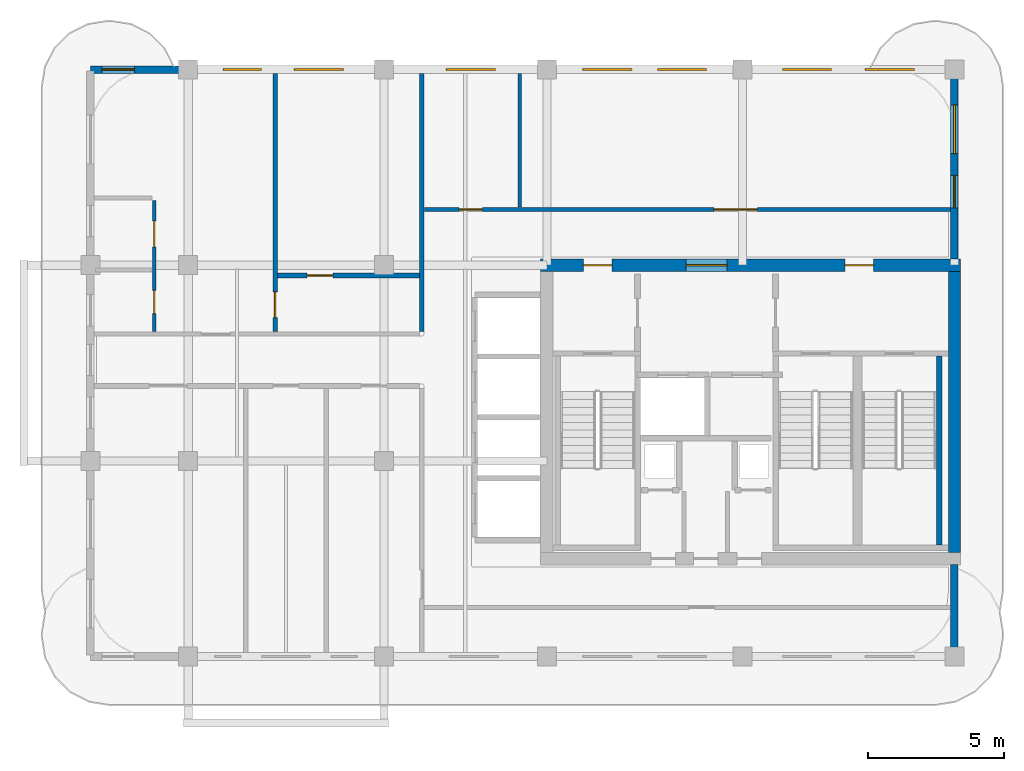
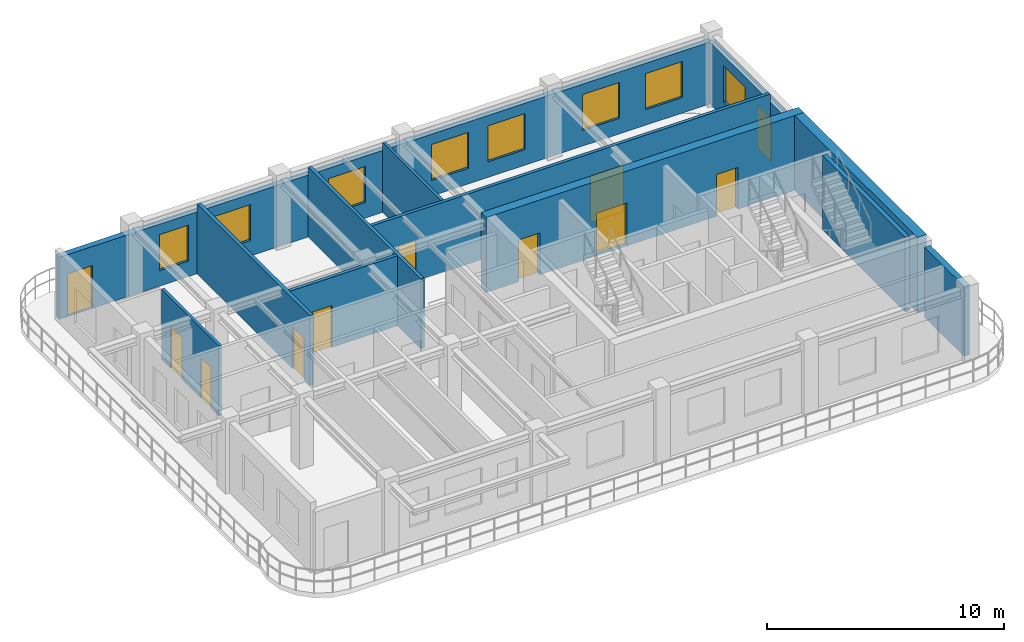
# One storey, part 4 of 7: 12 walls, 11 doors, 8 windows, 19 openings.
"""IFC4 building model written with IfcOpenShell, lengths in metres."""

from ifc_helpers import new_model, si_unit, derived_unit, direction, frame, frame_2d, origin, place, context, subcontext, project, spatial, rectangle, extrude, source, transform, mapped, material, layer, layer_set, type_object, type_shapes, element, fill, save


model = new_model("IFC4")

# Units and contexts
model_context = context("Model", 3, precision=1e-05, world=origin(), true_north=direction((0.0, 1.0)))
body_context = subcontext(model_context, "Body", "Model", "MODEL_VIEW")
ifc_project = project(units=[si_unit("LENGTHUNIT", "METRE"), si_unit("AREAUNIT", "SQUARE_METRE"), si_unit("VOLUMEUNIT", "CUBIC_METRE"), si_unit("PLANEANGLEUNIT", "RADIAN"), si_unit("MASSUNIT", "GRAM", prefix="KILO"), si_unit("THERMODYNAMICTEMPERATUREUNIT", "KELVIN"), si_unit("POWERUNIT", "WATT"), derived_unit("THERMALTRANSMITTANCEUNIT", [(si_unit("POWERUNIT", "WATT"), 1), (si_unit("AREAUNIT", "SQUARE_METRE"), -1), (si_unit("THERMODYNAMICTEMPERATUREUNIT", "KELVIN"), -1)])], contexts=[model_context])

# Site, building, storey
site_placement = place(None, origin())
site = spatial("IfcSite", under=ifc_project, at=site_placement, CompositionType="ELEMENT")
building_placement = place(site_placement, origin())
building = spatial("IfcBuilding", under=site, at=building_placement, Name="Zahravan Archway Hotel and Residences", CompositionType="ELEMENT")
storey_placement = place(building_placement, frame((0.0, 0.0, 282.75)))
storey = spatial("IfcBuildingStorey", under=building, at=storey_placement, Name="L71", CompositionType="ELEMENT", Elevation=282.75)

# Wall, openings, doors
ifc_material_1 = material(Name="Concrete C50/60", Category="concrete")
ifc_layer_1 = layer(ifc_material_1, 0.449951171875, Name="Concrete C50/60", Category="concrete")
ifc_layer_set_1 = layer_set([ifc_layer_1], Name="Concrete C50/60")
wall_type_1 = type_object("IfcWallType", Name="CW-CORE-450", PredefinedType="SHEAR", material=ifc_layer_set_1)
wall_1_placement = place(storey_placement, frame((34.574951171875, 14.39990234375, 0.0), z_axis=(0.0, 0.0, 1.0), x_axis=(1.0, 0.0, 0.0)))
wall_1 = element("IfcWall", 1, at=wall_1_placement, inside=storey, type_object=wall_type_1, Name="L71 Core A Shear N Wall 450 mm", PredefinedType="SHEAR", context=body_context, shape_type="SweptSolid", body=[
    extrude(rectangle(XDim=15.449951171875, YDim=0.449951171875, at=frame_2d((7.72509765625, 0.0))), origin(), (0.0, 0.0, 1.0), 3.85009765625),
])
opening_1_placement = place(wall_1_placement, frame((5.35498046875, 0.0, 0.0)))
opening_1 = element("IfcOpeningElement", 2, at=opening_1_placement, cuts=wall_1, Name="Opening FD-L1", PredefinedType="OPENING", context=body_context, shape_type="SweptSolid", body=[
    extrude(rectangle(XDim=1.5, YDim=2.199951171875, at=frame_2d((0.75, 1.10009765625))), frame((0.0, 0.23486328125, 0.0), z_axis=(0.0, -1.0, 0.0), x_axis=(1.0, 0.0, 0.0)), (0.0, 0.0, 1.0), 0.469970703125),
])
opening_2_placement = place(wall_1_placement, frame((1.570068359375, 0.0, 0.0)))
opening_2 = element("IfcOpeningElement", 3, at=opening_2_placement, cuts=wall_1, Name="Opening FD-L2", PredefinedType="OPENING", context=body_context, shape_type="SweptSolid", body=[
    extrude(rectangle(XDim=1.050048828125, YDim=2.14990234375, at=frame_2d((0.52490234375, 1.074951171875))), frame((0.0, 0.23486328125, 0.0), z_axis=(0.0, -1.0, 0.0), x_axis=(1.0, 0.0, 0.0)), (0.0, 0.0, 1.0), 0.469970703125),
])
opening_3_placement = place(wall_1_placement, frame((11.199951171875, 0.0, 0.0)))
opening_3 = element("IfcOpeningElement", 4, at=opening_3_placement, cuts=wall_1, Name="Opening FD-L2", PredefinedType="OPENING", context=body_context, shape_type="SweptSolid", body=[
    extrude(rectangle(XDim=1.050048828125, YDim=2.14990234375, at=frame_2d((0.52490234375, 1.074951171875))), frame((0.0, 0.23486328125, 0.0), z_axis=(0.0, -1.0, 0.0), x_axis=(1.0, 0.0, 0.0)), (0.0, 0.0, 1.0), 0.469970703125),
])
ifc_material_2 = material(Name="Fire-Rated Painted Steel", Category="steel")
door_type_1 = type_object("IfcDoorType", Name="FD-LOBBY-1100", OperationType="NOTDEFINED", PredefinedType="DOOR", material=ifc_material_2)
shared_shape_1 = source(origin(), body_context, "Body", "SweptSolid", [
    extrude(rectangle(XDim=1.050048828125, YDim=2.14990234375, at=frame_2d((0.52490234375, 1.074951171875))), frame((0.0, 0.02490234375, 0.0), z_axis=(0.0, -1.0, 0.0), x_axis=(1.0, 0.0, 0.0)), (0.0, 0.0, 1.0), 0.050048828125),
])
type_shapes(door_type_1, [shared_shape_1])
door_1_placement = place(opening_2_placement, origin())
door_1 = element("IfcDoor", 5, at=door_1_placement, inside=storey, type_object=door_type_1, Name="L71 Core A West Stair Lobby Door", OperationType="SINGLE_SWING_LEFT", OverallHeight=2.14990234375, OverallWidth=1.050048828125, PredefinedType="DOOR", context=body_context, shape_type="MappedRepresentation", body=[
    mapped(shared_shape_1, transform((0.0, 0.0, 0.0), scale=1.0)),
])
fill(opening_2, door_1)
door_2_placement = place(opening_3_placement, origin())
door_2 = element("IfcDoor", 6, at=door_2_placement, inside=storey, type_object=door_type_1, Name="L71 Core A East Stair Lobby Door", OperationType="SINGLE_SWING_RIGHT", OverallHeight=2.14990234375, OverallWidth=1.050048828125, PredefinedType="DOOR", context=body_context, shape_type="MappedRepresentation", body=[
    mapped(shared_shape_1, transform((0.0, 0.0, 0.0), scale=1.0)),
])
fill(opening_3, door_2)
door_type_2 = type_object("IfcDoorType", Name="FD-LOBBY-1500", OperationType="DOUBLE_DOOR_SINGLE_SWING", PredefinedType="DOOR", material=ifc_material_2)
shared_shape_2 = source(origin(), body_context, "Body", "SweptSolid", [
    extrude(rectangle(XDim=1.5, YDim=2.199951171875, at=frame_2d((0.75, 1.10009765625))), frame((0.0, 0.02490234375, 0.0), z_axis=(0.0, -1.0, 0.0), x_axis=(1.0, 0.0, 0.0)), (0.0, 0.0, 1.0), 0.050048828125),
])
type_shapes(door_type_2, [shared_shape_2])
door_3_placement = place(opening_1_placement, origin())
door_3 = element("IfcDoor", 7, at=door_3_placement, inside=storey, type_object=door_type_2, Name="L71 Core A FSAE Lobby Main Door", OperationType="DOUBLE_DOOR_SINGLE_SWING", OverallHeight=2.199951171875, OverallWidth=1.5, PredefinedType="DOOR", context=body_context, shape_type="MappedRepresentation", body=[
    mapped(shared_shape_2, transform((0.0, 0.0, 0.0), scale=1.0)),
])
fill(opening_1, door_3)

# Walls
wall_2_placement = place(storey_placement, frame((49.800048828125, 3.824951171875, 0.0), z_axis=(0.0, 0.0, 1.0), x_axis=(0.0, 1.0, 0.0)))
element("IfcWall", 8, at=wall_2_placement, inside=storey, type_object=wall_type_1, Name="L71 Core A Shear E Wall 450 mm", PredefinedType="SHEAR", context=body_context, shape_type="SweptSolid", body=[
    extrude(rectangle(XDim=10.35009765625, YDim=0.449951171875, at=frame_2d((5.175048828125, 0.0))), origin(), (0.0, 0.0, 1.0), 3.85009765625),
])
ifc_material_3 = material(Name="Honed Red-Ochre Sandstone & Insulated Block", Category="masonry")
ifc_layer_2 = layer(ifc_material_3, 0.280029296875, Name="Honed Red-Ochre Sandstone & Insulated Block", Category="masonry")
ifc_layer_set_2 = layer_set([ifc_layer_2], Name="Honed Red-Ochre Sandstone & Insulated Block")
wall_type_2 = type_object("IfcWallType", Name="EW-LOG-280", PredefinedType="SOLIDWALL", material=ifc_layer_set_2)
wall_3_placement = place(storey_placement, frame((49.800048828125, 0.050048828125, 0.0), z_axis=(0.0, 0.0, 1.0), x_axis=(0.0, 1.0, 0.0)))
element("IfcWall", 9, at=wall_3_placement, inside=storey, type_object=wall_type_2, Name="L71 Exterior Sandstone Wall WA-ES", PredefinedType="SOLIDWALL", context=body_context, shape_type="SweptSolid", body=[
    extrude(rectangle(XDim=3.329833984375, YDim=0.280029296875, at=frame_2d((1.6650390625, 0.0))), origin(), (0.0, 0.0, 1.0), 3.60009765625),
])

# Wall, openings, door, window
wall_4_placement = place(storey_placement, frame((49.800048828125, 14.6201171875, 0.0), z_axis=(0.0, 0.0, 1.0), x_axis=(0.0, 1.0, 0.0)))
wall_4 = element("IfcWall", 10, at=wall_4_placement, inside=storey, type_object=wall_type_2, Name="L71 Exterior Sandstone Wall WA-EN", PredefinedType="SOLIDWALL", context=body_context, shape_type="SweptSolid", body=[
    extrude(rectangle(XDim=6.929931640625, YDim=0.280029296875, at=frame_2d((3.46484375, 0.0))), origin(), (0.0, 0.0, 1.0), 3.18505859375),
])
opening_4_placement = place(wall_4_placement, frame((1.888916015625, 0.0, 0.0)))
opening_4 = element("IfcOpeningElement", 11, at=opening_4_placement, cuts=wall_4, Name="Opening ED-BL1", PredefinedType="OPENING", context=body_context, shape_type="SweptSolid", body=[
    extrude(rectangle(XDim=1.199951171875, YDim=2.199951171875, at=frame_2d((0.60009765625, 1.10009765625))), frame((0.0, 0.14990234375, 0.0), z_axis=(0.0, -1.0, 0.0), x_axis=(1.0, 0.0, 0.0)), (0.0, 0.0, 1.0), 0.300048828125),
])
opening_5_placement = place(wall_4_placement, frame((3.884033203125, 0.0, 0.800048828125)))
opening_5 = element("IfcOpeningElement", 12, at=opening_5_placement, cuts=wall_4, Name="Opening W-02", PredefinedType="OPENING", context=body_context, shape_type="SweptSolid", body=[
    extrude(rectangle(XDim=1.800048828125, YDim=1.85009765625, at=frame_2d((0.89990234375, 0.925048828125))), frame((0.0, 0.14990234375, 0.0), z_axis=(0.0, -1.0, 0.0), x_axis=(1.0, 0.0, 0.0)), (0.0, 0.0, 1.0), 0.300048828125),
])
ifc_material_4 = material(Name="Bronze-Anodized Glazed Aluminium", Category="aluminium")
door_type_3 = type_object("IfcDoorType", Name="ED-BALC-1200", OperationType="SLIDING_TO_LEFT", PredefinedType="DOOR", material=ifc_material_4)
shared_shape_3 = source(origin(), body_context, "Body", "SweptSolid", [
    extrude(rectangle(XDim=1.199951171875, YDim=2.199951171875, at=frame_2d((0.60009765625, 1.10009765625))), frame((0.0, 0.02490234375, 0.0), z_axis=(0.0, -1.0, 0.0), x_axis=(1.0, 0.0, 0.0)), (0.0, 0.0, 1.0), 0.050048828125),
])
type_shapes(door_type_3, [shared_shape_3])
door_4_placement = place(opening_4_placement, origin())
door_4 = element("IfcDoor", 13, at=door_4_placement, inside=storey, type_object=door_type_3, Name="L71 Outdoor Access Sliding Door (SLB-BAL-L71-EA)", OperationType="SLIDING_TO_LEFT", OverallHeight=2.199951171875, OverallWidth=1.199951171875, PredefinedType="DOOR", context=body_context, shape_type="MappedRepresentation", body=[
    mapped(shared_shape_3, transform((0.0, 0.0, 0.0), scale=1.0)),
])
fill(opening_4, door_4)
ifc_material_5 = material(Name="Bronze-Anodized Thermal-Break Aluminium & Low-E Glass", Category="aluminium")
window_type_1 = type_object("IfcWindowType", Name="WIN-TWR-1800", PartitioningType="DOUBLE_PANEL_VERTICAL", PredefinedType="WINDOW", material=ifc_material_5)
shared_shape_4 = source(origin(), body_context, "Body", "SweptSolid", [
    extrude(rectangle(XDim=1.800048828125, YDim=1.85009765625, at=frame_2d((0.89990234375, 0.925048828125))), frame((0.0, 0.030029296875, 0.0), z_axis=(0.0, -1.0, 0.0), x_axis=(1.0, 0.0, 0.0)), (0.0, 0.0, 1.0), 0.06005859375),
])
type_shapes(window_type_1, [shared_shape_4])
window_1_placement = place(opening_5_placement, origin())
window_1 = element("IfcWindow", 14, at=window_1_placement, inside=storey, type_object=window_type_1, Name="L71 Loggia Window 09", OverallHeight=1.85009765625, OverallWidth=1.800048828125, PartitioningType="DOUBLE_PANEL_VERTICAL", PredefinedType="WINDOW", context=body_context, shape_type="MappedRepresentation", body=[
    mapped(shared_shape_4, transform((0.0, 0.0, 0.0), scale=1.0)),
])
fill(opening_5, window_1)

# Wall, openings, door, windows
wall_5_placement = place(storey_placement, frame((18.0, 21.60009765625, 0.0), z_axis=(0.0, 0.0, 1.0), x_axis=(1.0, 0.0, 0.0)))
wall_5 = element("IfcWall", 15, at=wall_5_placement, inside=storey, type_object=wall_type_2, Name="L71 Exterior Sandstone Wall WA-N", PredefinedType="SOLIDWALL", context=body_context, shape_type="SweptSolid", body=[
    extrude(rectangle(XDim=31.800048828125, YDim=0.280029296875, at=frame_2d((15.89990234375, 0.0))), origin(), (0.0, 0.0, 1.0), 3.18505859375),
])
opening_6_placement = place(wall_5_placement, frame((0.419921875, 0.0, 0.0)))
opening_6 = element("IfcOpeningElement", 16, at=opening_6_placement, cuts=wall_5, Name="Opening ED-BL1", PredefinedType="OPENING", context=body_context, shape_type="SweptSolid", body=[
    extrude(rectangle(XDim=1.199951171875, YDim=2.199951171875, at=frame_2d((0.60009765625, 1.10009765625))), frame((0.0, 0.14990234375, 0.0), z_axis=(0.0, -1.0, 0.0), x_axis=(1.0, 0.0, 0.0)), (0.0, 0.0, 1.0), 0.300048828125),
])
opening_7_placement = place(wall_5_placement, frame((4.89599609375, 0.0, 0.800048828125)))
opening_7 = element("IfcOpeningElement", 17, at=opening_7_placement, cuts=wall_5, Name="Opening W-03", PredefinedType="OPENING", context=body_context, shape_type="SweptSolid", body=[
    extrude(rectangle(XDim=1.39990234375, YDim=1.85009765625, at=frame_2d((0.699951171875, 0.925048828125))), frame((0.0, 0.14990234375, 0.0), z_axis=(0.0, -1.0, 0.0), x_axis=(1.0, 0.0, 0.0)), (0.0, 0.0, 1.0), 0.300048828125),
])
opening_8_placement = place(wall_5_placement, frame((7.50390625, 0.0, 0.800048828125)))
opening_8 = element("IfcOpeningElement", 18, at=opening_8_placement, cuts=wall_5, Name="Opening W-02", PredefinedType="OPENING", context=body_context, shape_type="SweptSolid", body=[
    extrude(rectangle(XDim=1.800048828125, YDim=1.85009765625, at=frame_2d((0.89990234375, 0.925048828125))), frame((0.0, 0.14990234375, 0.0), z_axis=(0.0, -1.0, 0.0), x_axis=(1.0, 0.0, 0.0)), (0.0, 0.0, 1.0), 0.300048828125),
])
opening_9_placement = place(wall_5_placement, frame((13.10107421875, 0.0, 0.800048828125)))
opening_9 = element("IfcOpeningElement", 19, at=opening_9_placement, cuts=wall_5, Name="Opening W-02", PredefinedType="OPENING", context=body_context, shape_type="SweptSolid", body=[
    extrude(rectangle(XDim=1.800048828125, YDim=1.85009765625, at=frame_2d((0.89990234375, 0.925048828125))), frame((0.0, 0.14990234375, 0.0), z_axis=(0.0, -1.0, 0.0), x_axis=(1.0, 0.0, 0.0)), (0.0, 0.0, 1.0), 0.300048828125),
])
opening_10_placement = place(wall_5_placement, frame((18.125, 0.0, 0.800048828125)))
opening_10 = element("IfcOpeningElement", 20, at=opening_10_placement, cuts=wall_5, Name="Opening W-02", PredefinedType="OPENING", context=body_context, shape_type="SweptSolid", body=[
    extrude(rectangle(XDim=1.800048828125, YDim=1.85009765625, at=frame_2d((0.89990234375, 0.925048828125))), frame((0.0, 0.14990234375, 0.0), z_axis=(0.0, -1.0, 0.0), x_axis=(1.0, 0.0, 0.0)), (0.0, 0.0, 1.0), 0.300048828125),
])
opening_11_placement = place(wall_5_placement, frame((20.875, 0.0, 0.800048828125)))
opening_11 = element("IfcOpeningElement", 21, at=opening_11_placement, cuts=wall_5, Name="Opening W-02", PredefinedType="OPENING", context=body_context, shape_type="SweptSolid", body=[
    extrude(rectangle(XDim=1.800048828125, YDim=1.85009765625, at=frame_2d((0.89990234375, 0.925048828125))), frame((0.0, 0.14990234375, 0.0), z_axis=(0.0, -1.0, 0.0), x_axis=(1.0, 0.0, 0.0)), (0.0, 0.0, 1.0), 0.300048828125),
])
opening_12_placement = place(wall_5_placement, frame((25.47509765625, 0.0, 0.800048828125)))
opening_12 = element("IfcOpeningElement", 22, at=opening_12_placement, cuts=wall_5, Name="Opening W-02", PredefinedType="OPENING", context=body_context, shape_type="SweptSolid", body=[
    extrude(rectangle(XDim=1.800048828125, YDim=1.85009765625, at=frame_2d((0.89990234375, 0.925048828125))), frame((0.0, 0.14990234375, 0.0), z_axis=(0.0, -1.0, 0.0), x_axis=(1.0, 0.0, 0.0)), (0.0, 0.0, 1.0), 0.300048828125),
])
opening_13_placement = place(wall_5_placement, frame((28.52490234375, 0.0, 0.800048828125)))
opening_13 = element("IfcOpeningElement", 23, at=opening_13_placement, cuts=wall_5, Name="Opening W-02", PredefinedType="OPENING", context=body_context, shape_type="SweptSolid", body=[
    extrude(rectangle(XDim=1.800048828125, YDim=1.85009765625, at=frame_2d((0.89990234375, 0.925048828125))), frame((0.0, 0.14990234375, 0.0), z_axis=(0.0, -1.0, 0.0), x_axis=(1.0, 0.0, 0.0)), (0.0, 0.0, 1.0), 0.300048828125),
])
door_5_placement = place(opening_6_placement, origin())
door_5 = element("IfcDoor", 24, at=door_5_placement, inside=storey, type_object=door_type_3, Name="L71 Outdoor Access Sliding Door (SLB-BAL-L71-WA)", OperationType="SLIDING_TO_LEFT", OverallHeight=2.199951171875, OverallWidth=1.199951171875, PredefinedType="DOOR", context=body_context, shape_type="MappedRepresentation", body=[
    mapped(shared_shape_3, transform((0.0, 0.0, 0.0), scale=1.0)),
])
fill(opening_6, door_5)
window_type_2 = type_object("IfcWindowType", Name="WIN-TWR-1400", PartitioningType="SINGLE_PANEL", PredefinedType="WINDOW", material=ifc_material_5)
shared_shape_5 = source(origin(), body_context, "Body", "SweptSolid", [
    extrude(rectangle(XDim=1.39990234375, YDim=1.85009765625, at=frame_2d((0.699951171875, 0.925048828125))), frame((0.0, 0.030029296875, 0.0), z_axis=(0.0, -1.0, 0.0), x_axis=(1.0, 0.0, 0.0)), (0.0, 0.0, 1.0), 0.06005859375),
])
type_shapes(window_type_2, [shared_shape_5])
window_2_placement = place(opening_7_placement, origin())
window_2 = element("IfcWindow", 25, at=window_2_placement, inside=storey, type_object=window_type_2, Name="L71 Loggia Window 10", OverallHeight=1.85009765625, OverallWidth=1.39990234375, PartitioningType="SINGLE_PANEL", PredefinedType="WINDOW", context=body_context, shape_type="MappedRepresentation", body=[
    mapped(shared_shape_5, transform((0.0, 0.0, 0.0), scale=1.0)),
])
fill(opening_7, window_2)
window_3_placement = place(opening_8_placement, origin())
window_3 = element("IfcWindow", 26, at=window_3_placement, inside=storey, type_object=window_type_1, Name="L71 Loggia Window 11", OverallHeight=1.85009765625, OverallWidth=1.800048828125, PartitioningType="DOUBLE_PANEL_VERTICAL", PredefinedType="WINDOW", context=body_context, shape_type="MappedRepresentation", body=[
    mapped(shared_shape_4, transform((0.0, 0.0, 0.0), scale=1.0)),
])
fill(opening_8, window_3)
window_4_placement = place(opening_9_placement, origin())
window_4 = element("IfcWindow", 27, at=window_4_placement, inside=storey, type_object=window_type_1, Name="L71 Loggia Window 12", OverallHeight=1.85009765625, OverallWidth=1.800048828125, PartitioningType="DOUBLE_PANEL_VERTICAL", PredefinedType="WINDOW", context=body_context, shape_type="MappedRepresentation", body=[
    mapped(shared_shape_4, transform((0.0, 0.0, 0.0), scale=1.0)),
])
fill(opening_9, window_4)
window_5_placement = place(opening_10_placement, origin())
window_5 = element("IfcWindow", 28, at=window_5_placement, inside=storey, type_object=window_type_1, Name="L71 Loggia Window 13", OverallHeight=1.85009765625, OverallWidth=1.800048828125, PartitioningType="DOUBLE_PANEL_VERTICAL", PredefinedType="WINDOW", context=body_context, shape_type="MappedRepresentation", body=[
    mapped(shared_shape_4, transform((0.0, 0.0, 0.0), scale=1.0)),
])
fill(opening_10, window_5)
window_6_placement = place(opening_11_placement, origin())
window_6 = element("IfcWindow", 29, at=window_6_placement, inside=storey, type_object=window_type_1, Name="L71 Loggia Window 14", OverallHeight=1.85009765625, OverallWidth=1.800048828125, PartitioningType="DOUBLE_PANEL_VERTICAL", PredefinedType="WINDOW", context=body_context, shape_type="MappedRepresentation", body=[
    mapped(shared_shape_4, transform((0.0, 0.0, 0.0), scale=1.0)),
])
fill(opening_11, window_6)
window_7_placement = place(opening_12_placement, origin())
window_7 = element("IfcWindow", 30, at=window_7_placement, inside=storey, type_object=window_type_1, Name="L71 Loggia Window 15", OverallHeight=1.85009765625, OverallWidth=1.800048828125, PartitioningType="DOUBLE_PANEL_VERTICAL", PredefinedType="WINDOW", context=body_context, shape_type="MappedRepresentation", body=[
    mapped(shared_shape_4, transform((0.0, 0.0, 0.0), scale=1.0)),
])
fill(opening_12, window_7)
window_8_placement = place(opening_13_placement, origin())
window_8 = element("IfcWindow", 31, at=window_8_placement, inside=storey, type_object=window_type_1, Name="L71 Loggia Window 16", OverallHeight=1.85009765625, OverallWidth=1.800048828125, PartitioningType="DOUBLE_PANEL_VERTICAL", PredefinedType="WINDOW", context=body_context, shape_type="MappedRepresentation", body=[
    mapped(shared_shape_4, transform((0.0, 0.0, 0.0), scale=1.0)),
])
fill(opening_13, window_8)

# Wall
ifc_material_6 = material(Name="Fire-Rated Gypsum & Concrete Block", Category="concrete")
ifc_layer_3 = layer(ifc_material_6, 0.159912109375, Name="Fire-Rated Gypsum & Concrete Block", Category="concrete")
ifc_layer_set_3 = layer_set([ifc_layer_3], Name="Fire-Rated Gypsum & Concrete Block")
wall_type_3 = type_object("IfcWallType", Name="PW-CORR-160", PredefinedType="PARTITIONING", material=ifc_layer_set_3)
wall_6_placement = place(storey_placement, frame((30.199951171875, 11.9599609375, 0.0), z_axis=(0.0, 0.0, 1.0), x_axis=(0.0, 1.0, 0.0)))
element("IfcWall", 32, at=wall_6_placement, inside=storey, type_object=wall_type_3, Name="L71 Partition WA-FW", PredefinedType="PARTITIONING", context=body_context, shape_type="SweptSolid", body=[
    extrude(rectangle(XDim=9.5, YDim=0.159912109375, at=frame_2d((4.75, 0.0))), origin(), (0.0, 0.0, 1.0), 3.60009765625),
])

# Wall, openings, doors
wall_7_placement = place(storey_placement, frame((30.2900390625, 16.449951171875, 0.0), z_axis=(0.0, 0.0, 1.0), x_axis=(1.0, 0.0, 0.0)))
wall_7 = element("IfcWall", 33, at=wall_7_placement, inside=storey, type_object=wall_type_3, Name="L71 Partition WA-FN", PredefinedType="PARTITIONING", context=body_context, shape_type="SweptSolid", body=[
    extrude(rectangle(XDim=19.369873046875, YDim=0.159912109375, at=frame_2d((9.68505859375, 0.0))), origin(), (0.0, 0.0, 1.0), 3.60009765625),
])
opening_14_placement = place(wall_7_placement, frame((1.284912109375, 0.0, 0.0)))
opening_14 = element("IfcOpeningElement", 34, at=opening_14_placement, cuts=wall_7, Name="Opening D-B1", PredefinedType="OPENING", context=body_context, shape_type="SweptSolid", body=[
    extrude(rectangle(XDim=0.85009765625, YDim=2.10009765625, at=frame_2d((0.425048828125, 1.050048828125))), frame((0.0, 0.08984375, 0.0), z_axis=(0.0, -1.0, 0.0), x_axis=(1.0, 0.0, 0.0)), (0.0, 0.0, 1.0), 0.179931640625),
])
opening_15_placement = place(wall_7_placement, frame((10.659912109375, 0.0, 0.0)))
opening_15 = element("IfcOpeningElement", 35, at=opening_15_placement, cuts=wall_7, Name="Opening D-P2", PredefinedType="OPENING", context=body_context, shape_type="SweptSolid", body=[
    extrude(rectangle(XDim=1.60009765625, YDim=2.39990234375, at=frame_2d((0.800048828125, 1.199951171875))), frame((0.0, 0.08984375, 0.0), z_axis=(0.0, -1.0, 0.0), x_axis=(1.0, 0.0, 0.0)), (0.0, 0.0, 1.0), 0.179931640625),
])
door_type_4 = type_object("IfcDoorType", Name="ID-PUBLIC-1600", OperationType="DOUBLE_DOOR_SINGLE_SWING", PredefinedType="DOOR", material=ifc_material_4)
shared_shape_6 = source(origin(), body_context, "Body", "SweptSolid", [
    extrude(rectangle(XDim=1.60009765625, YDim=2.39990234375, at=frame_2d((0.800048828125, 1.199951171875))), frame((0.0, 0.02490234375, 0.0), z_axis=(0.0, -1.0, 0.0), x_axis=(1.0, 0.0, 0.0)), (0.0, 0.0, 1.0), 0.050048828125),
])
type_shapes(door_type_4, [shared_shape_6])
door_6_placement = place(opening_15_placement, origin())
door_6 = element("IfcDoor", 36, at=door_6_placement, inside=storey, type_object=door_type_4, Name="L71 North Fitness Gym Door", OperationType="DOUBLE_DOOR_SINGLE_SWING", OverallHeight=2.39990234375, OverallWidth=1.60009765625, PredefinedType="DOOR", context=body_context, shape_type="MappedRepresentation", body=[
    mapped(shared_shape_6, transform((0.0, 0.0, 0.0), scale=1.0)),
])
fill(opening_15, door_6)
ifc_material_7 = material(Name="Hardwood Veneer Timber", Category="wood")
door_type_5 = type_object("IfcDoorType", Name="ID-BATH-850", OperationType="NOTDEFINED", PredefinedType="DOOR", material=ifc_material_7)
shared_shape_7 = source(origin(), body_context, "Body", "SweptSolid", [
    extrude(rectangle(XDim=0.85009765625, YDim=2.10009765625, at=frame_2d((0.425048828125, 1.050048828125))), frame((0.0, 0.02490234375, 0.0), z_axis=(0.0, -1.0, 0.0), x_axis=(1.0, 0.0, 0.0)), (0.0, 0.0, 1.0), 0.050048828125),
])
type_shapes(door_type_5, [shared_shape_7])
door_7_placement = place(opening_14_placement, origin())
door_7 = element("IfcDoor", 37, at=door_7_placement, inside=storey, type_object=door_type_5, Name="L71 Accessible Restroom Door", OperationType="SINGLE_SWING_RIGHT", OverallHeight=2.10009765625, OverallWidth=0.85009765625, PredefinedType="DOOR", context=body_context, shape_type="MappedRepresentation", body=[
    mapped(shared_shape_7, transform((0.0, 0.0, 0.0), scale=1.0)),
])
fill(opening_14, door_7)

# Wall, opening, door
ifc_material_8 = material(Name="Acoustic Stud Partition")
ifc_layer_4 = layer(ifc_material_8, 0.169921875, Name="Acoustic Stud Partition")
ifc_layer_set_4 = layer_set([ifc_layer_4], Name="Acoustic Stud Partition")
wall_type_4 = type_object("IfcWallType", Name="PW-UNIT-170", PredefinedType="PARTITIONING", material=ifc_layer_set_4)
wall_8_placement = place(storey_placement, frame((24.800048828125, 11.9599609375, 0.0), z_axis=(0.0, 0.0, 1.0), x_axis=(0.0, 1.0, 0.0)))
wall_8 = element("IfcWall", 38, at=wall_8_placement, inside=storey, type_object=wall_type_4, Name="L71 Partition FL-N1-SP", PredefinedType="PARTITIONING", context=body_context, shape_type="SweptSolid", body=[
    extrude(rectangle(XDim=9.491943359375, YDim=0.169921875, at=frame_2d((4.74609375, 0.0))), origin(), (0.0, 0.0, 1.0), 3.60009765625),
])
opening_16_placement = place(wall_8_placement, frame((0.510009765625, 0.0, 0.0)))
opening_16 = element("IfcOpeningElement", 39, at=opening_16_placement, cuts=wall_8, Name="Opening D-I1", PredefinedType="OPENING", context=body_context, shape_type="SweptSolid", body=[
    extrude(rectangle(XDim=0.949951171875, YDim=2.14990234375, at=frame_2d((0.47509765625, 1.074951171875))), frame((0.0, 0.094970703125, 0.0), z_axis=(0.0, -1.0, 0.0), x_axis=(1.0, 0.0, 0.0)), (0.0, 0.0, 1.0), 0.18994140625),
])
door_type_6 = type_object("IfcDoorType", Name="ID-INT-950", OperationType="NOTDEFINED", PredefinedType="DOOR", material=ifc_material_7)
shared_shape_8 = source(origin(), body_context, "Body", "SweptSolid", [
    extrude(rectangle(XDim=0.949951171875, YDim=2.14990234375, at=frame_2d((0.47509765625, 1.074951171875))), frame((0.0, 0.02490234375, 0.0), z_axis=(0.0, -1.0, 0.0), x_axis=(1.0, 0.0, 0.0)), (0.0, 0.0, 1.0), 0.050048828125),
])
type_shapes(door_type_6, [shared_shape_8])
door_8_placement = place(opening_16_placement, origin())
door_8 = element("IfcDoor", 40, at=door_8_placement, inside=storey, type_object=door_type_6, Name="L71 Flat N1 Bedroom Hall Door", OperationType="SINGLE_SWING_RIGHT", OverallHeight=2.14990234375, OverallWidth=0.949951171875, PredefinedType="DOOR", context=body_context, shape_type="MappedRepresentation", body=[
    mapped(shared_shape_8, transform((0.0, 0.0, 0.0), scale=1.0)),
])
fill(opening_16, door_8)

wall_9_placement = place(storey_placement, frame((24.889892578125, 14.02001953125, 0.0), z_axis=(0.0, 0.0, 1.0), x_axis=(1.0, 0.0, 0.0)))
wall_9 = element("IfcWall", 41, at=wall_9_placement, inside=storey, type_object=wall_type_4, Name="L71 Partition FL-N1-GH", PredefinedType="PARTITIONING", context=body_context, shape_type="SweptSolid", body=[
    extrude(rectangle(XDim=5.22021484375, YDim=0.169921875, at=frame_2d((2.610107421875, 0.0))), origin(), (0.0, 0.0, 1.0), 3.60009765625),
])
opening_17_placement = place(wall_9_placement, frame((1.0849609375, 0.0, 0.0)))
opening_17 = element("IfcOpeningElement", 42, at=opening_17_placement, cuts=wall_9, Name="Opening D-I1", PredefinedType="OPENING", context=body_context, shape_type="SweptSolid", body=[
    extrude(rectangle(XDim=0.949951171875, YDim=2.14990234375, at=frame_2d((0.47509765625, 1.074951171875))), frame((0.0, 0.094970703125, 0.0), z_axis=(0.0, -1.0, 0.0), x_axis=(1.0, 0.0, 0.0)), (0.0, 0.0, 1.0), 0.18994140625),
])
door_9_placement = place(opening_17_placement, origin())
door_9 = element("IfcDoor", 43, at=door_9_placement, inside=storey, type_object=door_type_6, Name="L71 Flat N1 Bedroom 1 Door", OperationType="SINGLE_SWING_LEFT", OverallHeight=2.14990234375, OverallWidth=0.949951171875, PredefinedType="DOOR", context=body_context, shape_type="MappedRepresentation", body=[
    mapped(shared_shape_8, transform((0.0, 0.0, 0.0), scale=1.0)),
])
fill(opening_17, door_9)

# Wall
ifc_material_9 = material(Name="Moisture-Resistant Blockwork", Category="masonry")
ifc_layer_5 = layer(ifc_material_9, 0.139892578125, Name="Moisture-Resistant Blockwork", Category="masonry")
ifc_layer_set_5 = layer_set([ifc_layer_5], Name="Moisture-Resistant Blockwork")
wall_type_5 = type_object("IfcWallType", Name="PW-WET-140", PredefinedType="PARTITIONING", material=ifc_layer_set_5)
wall_10_placement = place(storey_placement, frame((33.800048828125, 16.5400390625, 0.0), z_axis=(0.0, 0.0, 1.0), x_axis=(0.0, 1.0, 0.0)))
element("IfcWall", 44, at=wall_10_placement, inside=storey, type_object=wall_type_5, Name="L71 Partition NE1-1", PredefinedType="PARTITIONING", context=body_context, shape_type="SweptSolid", body=[
    extrude(rectangle(XDim=4.911865234375, YDim=0.139892578125, at=frame_2d((2.4560546875, 0.0))), origin(), (0.0, 0.0, 1.0), 3.60009765625),
])

# Wall, openings, doors
wall_11_placement = place(storey_placement, frame((20.35009765625, 11.9599609375, 0.0), z_axis=(0.0, 0.0, 1.0), x_axis=(0.0, 1.0, 0.0)))
wall_11 = element("IfcWall", 45, at=wall_11_placement, inside=storey, type_object=wall_type_5, Name="L71 Partition FL-N1-BV", PredefinedType="PARTITIONING", context=body_context, shape_type="SweptSolid", body=[
    extrude(rectangle(XDim=4.820068359375, YDim=0.139892578125, at=frame_2d((2.41015625, 0.0))), origin(), (0.0, 0.0, 1.0), 3.60009765625),
])
opening_18_placement = place(wall_11_placement, frame((0.659912109375, 0.0, 0.0)))
opening_18 = element("IfcOpeningElement", 46, at=opening_18_placement, cuts=wall_11, Name="Opening D-B1", PredefinedType="OPENING", context=body_context, shape_type="SweptSolid", body=[
    extrude(rectangle(XDim=0.85009765625, YDim=2.10009765625, at=frame_2d((0.425048828125, 1.050048828125))), frame((0.0, 0.080078125, 0.0), z_axis=(0.0, -1.0, 0.0), x_axis=(1.0, 0.0, 0.0)), (0.0, 0.0, 1.0), 0.159912109375),
])
opening_19_placement = place(wall_11_placement, frame((3.110107421875, 0.0, 0.0)))
opening_19 = element("IfcOpeningElement", 47, at=opening_19_placement, cuts=wall_11, Name="Opening D-I1", PredefinedType="OPENING", context=body_context, shape_type="SweptSolid", body=[
    extrude(rectangle(XDim=0.949951171875, YDim=2.14990234375, at=frame_2d((0.47509765625, 1.074951171875))), frame((0.0, 0.080078125, 0.0), z_axis=(0.0, -1.0, 0.0), x_axis=(1.0, 0.0, 0.0)), (0.0, 0.0, 1.0), 0.159912109375),
])
door_10_placement = place(opening_18_placement, origin())
door_10 = element("IfcDoor", 48, at=door_10_placement, inside=storey, type_object=door_type_5, Name="L71 Flat N1 Bathroom Door", OperationType="SINGLE_SWING_LEFT", OverallHeight=2.10009765625, OverallWidth=0.85009765625, PredefinedType="DOOR", context=body_context, shape_type="MappedRepresentation", body=[
    mapped(shared_shape_7, transform((0.0, 0.0, 0.0), scale=1.0)),
])
fill(opening_18, door_10)
door_11_placement = place(opening_19_placement, origin())
door_11 = element("IfcDoor", 49, at=door_11_placement, inside=storey, type_object=door_type_6, Name="L71 Flat N1 Kitchen Door", OperationType="SINGLE_SWING_RIGHT", OverallHeight=2.14990234375, OverallWidth=0.949951171875, PredefinedType="DOOR", context=body_context, shape_type="MappedRepresentation", body=[
    mapped(shared_shape_8, transform((0.0, 0.0, 0.0), scale=1.0)),
])
fill(opening_19, door_11)

# Wall
ifc_layer_6 = layer(ifc_material_1, 0.199951171875, Name="Concrete C50/60", Category="concrete")
ifc_layer_set_6 = layer_set([ifc_layer_6], Name="Concrete C50/60")
wall_type_6 = type_object("IfcWallType", Name="SW-STAIR-200", PredefinedType="SHEAR", material=ifc_layer_set_6)
wall_12_placement = place(storey_placement, frame((49.239990234375, 4.10009765625, 0.0), z_axis=(0.0, 0.0, 1.0), x_axis=(0.0, 1.0, 0.0)))
element("IfcWall", 50, at=wall_12_placement, inside=storey, type_object=wall_type_6, Name="L71 Stairwell RC Wall CA-SA3E", PredefinedType="SHEAR", context=body_context, shape_type="SweptSolid", body=[
    extrude(rectangle(XDim=6.949951171875, YDim=0.199951171875, at=frame_2d((3.47509765625, 0.0))), origin(), (0.0, 0.0, 1.0), 3.85009765625),
])

save(model, "model.ifc")
